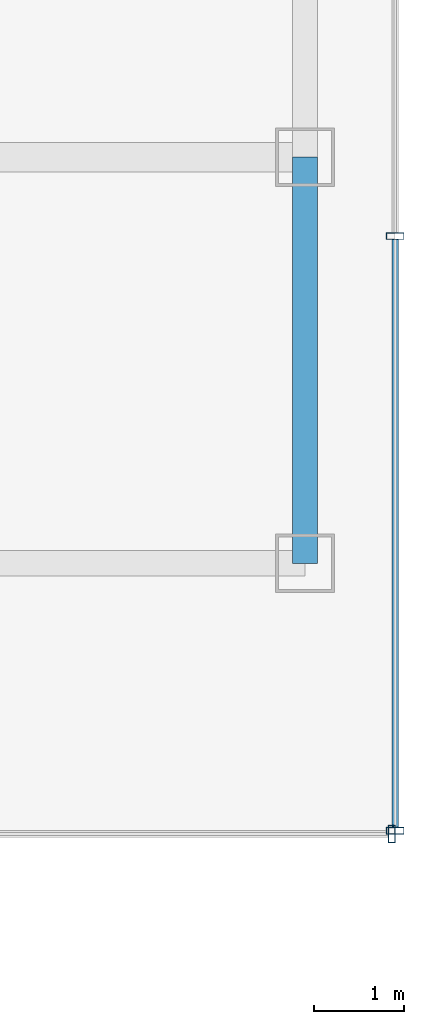
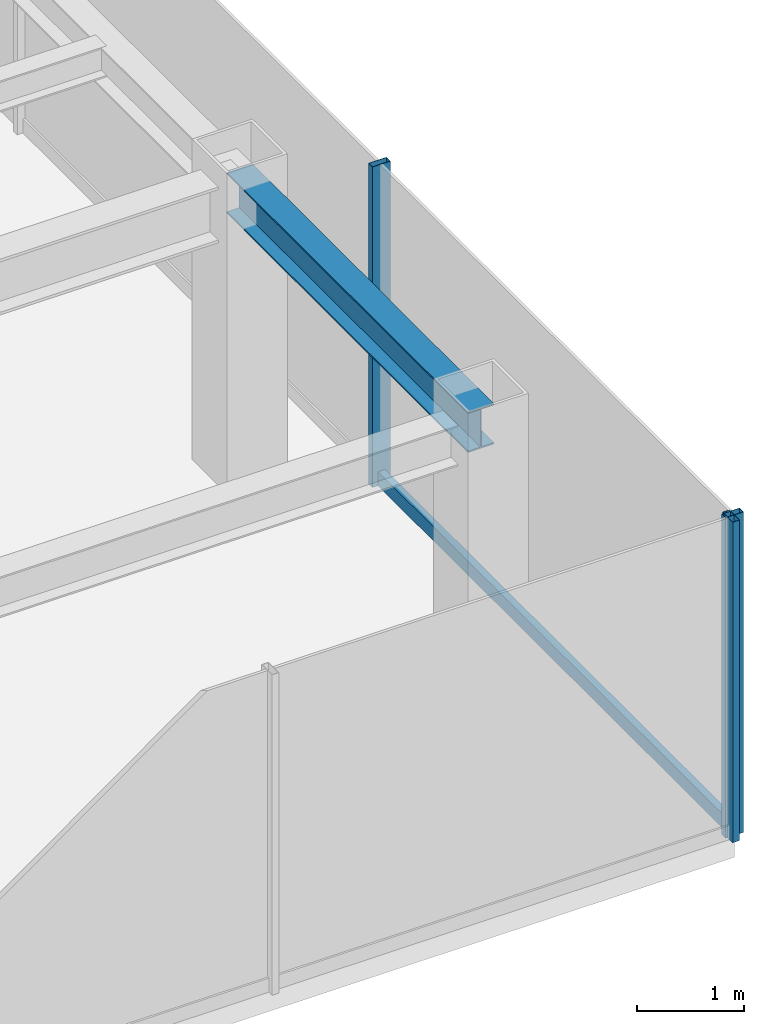
# One storey, part 5 of 19: 4 members, 1 beam, 2 elements without a shape of their own.
"""IFC4 building model written with IfcOpenShell, lengths in metres."""

from ifc_helpers import new_model, si_unit, derived_unit, direction, frame, origin, origin_2d, place, context, subcontext, project, spatial, hollow_rectangle, i_section, extrude, source, transform, mapped, material, material_profile, profile_set, type_object, element, aggregate, save


model = new_model("IFC4")

# Units and contexts
model_context = context("Model", 3, precision=1e-05, world=origin(), true_north=direction((0.0, 1.0)))
body_context = subcontext(model_context, "Body", "Model", "MODEL_VIEW")
ifc_project = project(units=[si_unit("LENGTHUNIT", "METRE"), si_unit("AREAUNIT", "SQUARE_METRE"), si_unit("VOLUMEUNIT", "CUBIC_METRE"), si_unit("PLANEANGLEUNIT", "RADIAN"), si_unit("MASSUNIT", "GRAM", prefix="KILO"), derived_unit("THERMALTRANSMITTANCEUNIT", [(si_unit("POWERUNIT", "WATT"), 1), (si_unit("LENGTHUNIT", "METRE"), -2), (si_unit("THERMODYNAMICTEMPERATUREUNIT", "KELVIN"), -1)])], contexts=[model_context])

# Site, building, storey
site_placement = place(None, origin())
site = spatial("IfcSite", under=ifc_project, at=site_placement, CompositionType="ELEMENT")
building_placement = place(site_placement, origin())
building = spatial("IfcBuilding", under=site, at=building_placement, Name="Skarnbrae Concourse Arena and Tower", CompositionType="ELEMENT")
storey_placement = place(building_placement, frame((0.0, 0.0, 180.75)))
storey = spatial("IfcBuildingStorey", under=building, at=storey_placement, Name="L46", CompositionType="ELEMENT", Elevation=180.75)

# Beam
ifc_material_1 = material(Name="Steel CSA G40.21 350W", Category="steel")
ifc_material_profile_1 = material_profile(ifc_material_1, i_section(OverallWidth=0.280029296875, OverallDepth=0.462890625, WebThickness=0.0107421875, FlangeThickness=0.017333984375, at=origin_2d()), Name="W460X113")
ifc_profile_set_1 = profile_set([ifc_material_profile_1], Name="Steel CSA G40.21 350W")
beam_type = type_object("IfcBeamType", Name="BM-SPAN-W460X113", PredefinedType="SPANDREL", material=ifc_profile_set_1)
shared_shape_1 = source(origin(), body_context, "Body", "SweptSolid", [
    extrude(i_section(OverallWidth=0.280029296875, OverallDepth=0.462890625, WebThickness=0.0107421875, FlangeThickness=0.017333984375, at=origin_2d()), origin(), (0.0, 0.0, 1.0), 4.5),
])
beam_placement = place(storey_placement, frame((49.0, 9.5, 3.16845703125), z_axis=(0.0, 1.0, 0.0), x_axis=(-1.0, 0.0, 0.0)))
element("IfcBeam", 1, at=beam_placement, inside=storey, type_object=beam_type, Name="L46 Perimeter spandrel X49.0-1", PredefinedType="SPANDREL", context=body_context, shape_type="MappedRepresentation", body=[
    mapped(shared_shape_1, transform((0.0, 0.0, 0.0))),
])

# Curtain wall, member
ifc_material_2 = material(Name="Bronze anodised aluminium 6063-T6", Category="aluminium")
curtain_wall_type = type_object("IfcCurtainWallType", Name="CW-SYS-04-MIDZONE", PredefinedType="USERDEFINED", material=ifc_material_2)
curtain_wall_1_placement = place(storey_placement, origin())
curtain_wall_1 = element("IfcCurtainWall", 2, at=curtain_wall_1_placement, inside=storey, type_object=curtain_wall_type, Name="L46 Unitised curtain wall CW-L46-E03", ObjectType="UNITISED CURTAIN WALL", PredefinedType="USERDEFINED")
ifc_material_profile_2 = material_profile(ifc_material_2, hollow_rectangle(XDim=0.074951171875, YDim=0.195068359375, WallThickness=0.00439453125, at=origin_2d()), Name="ALU-MULL-75X195")
ifc_profile_set_2 = profile_set([ifc_material_profile_2], Name="Bronze anodised aluminium 6063-T6")
member_type_1 = type_object("IfcMemberType", Name="CWM-CW-04", PredefinedType="MULLION", material=ifc_profile_set_2)
shared_shape_2 = source(origin(), body_context, "Body", "SweptSolid", [
    extrude(hollow_rectangle(XDim=0.074951171875, YDim=0.195068359375, WallThickness=0.00439453125, at=origin_2d()), origin(), (0.0, 0.0, 1.0), 3.64990234375),
])
member_1_placement = place(storey_placement, frame((49.96240234375, 6.5, 0.0), z_axis=(0.0, 0.0, 1.0), x_axis=(1.0, 0.0, 0.0)))
member_1 = element("IfcMember", 3, at=member_1_placement, type_object=member_type_1, Name="CW-L46-E03 Mullion 3", PredefinedType="MULLION", context=body_context, shape_type="MappedRepresentation", body=[
    mapped(shared_shape_2, transform((0.0, 0.0, 0.0))),
])
aggregate(curtain_wall_1, [member_1])

# Curtain wall, members
curtain_wall_2_placement = place(storey_placement, origin())
curtain_wall_2 = element("IfcCurtainWall", 4, at=curtain_wall_2_placement, inside=storey, type_object=curtain_wall_type, Name="L46 Unitised curtain wall CW-L46-E04", ObjectType="UNITISED CURTAIN WALL", PredefinedType="USERDEFINED")
member_2_placement = place(storey_placement, frame((50.0, 6.53759765625, 0.0), z_axis=(0.0, 0.0, 1.0), x_axis=(0.0, 1.0, 0.0)))
member_2 = element("IfcMember", 5, at=member_2_placement, type_object=member_type_1, Name="CW-L46-E04 Mullion 1", PredefinedType="MULLION", context=body_context, shape_type="MappedRepresentation", body=[
    mapped(shared_shape_2, transform((0.0, 0.0, 0.0))),
])
member_3_placement = place(storey_placement, frame((50.0, 13.125, 0.0), z_axis=(0.0, 0.0, 1.0), x_axis=(0.0, 1.0, 0.0)))
member_3 = element("IfcMember", 6, at=member_3_placement, type_object=member_type_1, Name="CW-L46-E04 Mullion 2", PredefinedType="MULLION", context=body_context, shape_type="MappedRepresentation", body=[
    mapped(shared_shape_2, transform((0.0, 0.0, 0.0))),
])
ifc_material_profile_3 = material_profile(ifc_material_2, hollow_rectangle(XDim=0.074951171875, YDim=0.159912109375, WallThickness=0.00439453125, at=origin_2d()), Name="ALU-TRAN-75X160")
ifc_profile_set_3 = profile_set([ifc_material_profile_3], Name="Bronze anodised aluminium 6063-T6")
member_type_2 = type_object("IfcMemberType", Name="CWT-CW-04", PredefinedType="USERDEFINED", material=ifc_profile_set_3)
shared_shape_3 = source(origin(), body_context, "Body", "SweptSolid", [
    extrude(hollow_rectangle(XDim=0.074951171875, YDim=0.159912109375, WallThickness=0.00439453125, at=origin_2d()), origin(), (0.0, 0.0, 1.0), 6.512451171875),
])
member_4_placement = place(storey_placement, frame((50.0, 6.574951171875, 0.080078125), z_axis=(0.0, 1.0, 0.0), x_axis=(-1.0, 0.0, 0.0)))
member_4 = element("IfcMember", 7, at=member_4_placement, type_object=member_type_2, Name="CW-L46-E04 Transom 1", ObjectType="TRANSOM", PredefinedType="USERDEFINED", context=body_context, shape_type="MappedRepresentation", body=[
    mapped(shared_shape_3, transform((0.0, 0.0, 0.0))),
])
aggregate(curtain_wall_2, [member_2, member_3, member_4])

save(model, "model.ifc")
